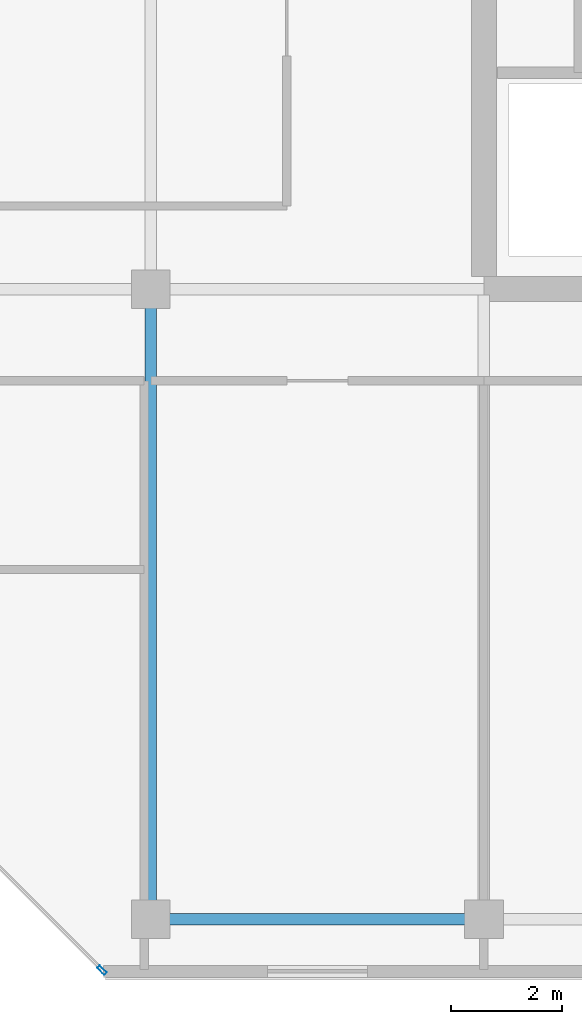
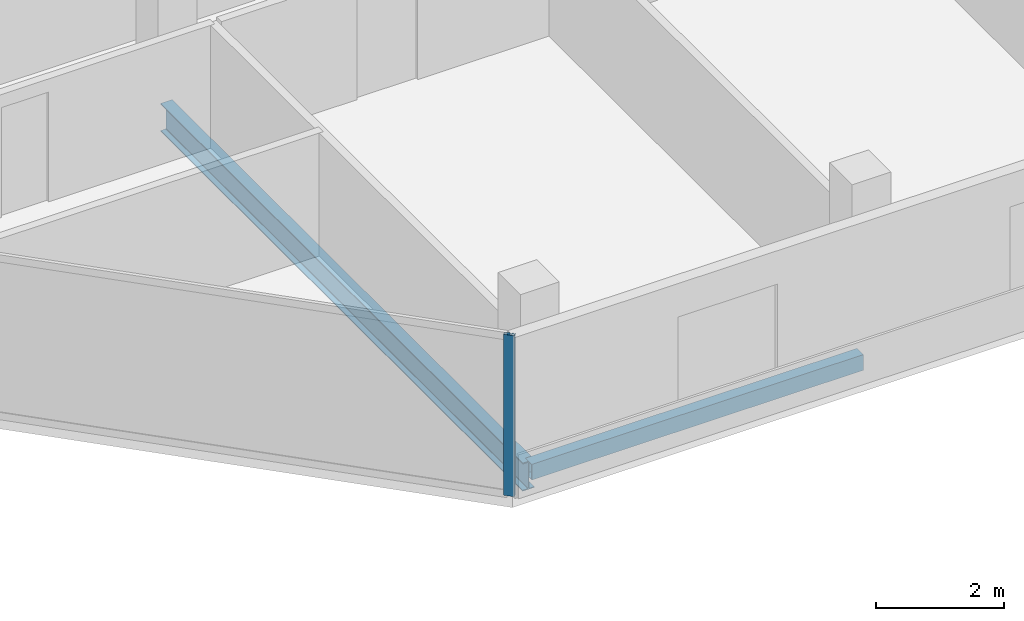
# One storey, part 10 of 29: 2 beams, 1 member, 1 element without a shape of its own.
"""IFC4 building model written with IfcOpenShell, lengths in metres."""

from ifc_helpers import new_model, si_unit, direction, frame, origin, origin_2d, place, context, subcontext, project, spatial, hollow_rectangle, i_section, extrude, material, layer, layer_set, material_profile, profile_set, type_object, element, aggregate, save


model = new_model("IFC4")

# Units and contexts
model_context = context("Model", 3, precision=1e-05, world=origin(), true_north=direction((0.0, 1.0)))
body_context = subcontext(model_context, "Body", "Model", "MODEL_VIEW")
ifc_project = project(units=[si_unit("LENGTHUNIT", "METRE"), si_unit("AREAUNIT", "SQUARE_METRE"), si_unit("VOLUMEUNIT", "CUBIC_METRE"), si_unit("PLANEANGLEUNIT", "RADIAN"), si_unit("MASSUNIT", "GRAM", prefix="KILO")], contexts=[model_context])

# Site, building, storey
site_placement = place(None, origin())
site = spatial("IfcSite", under=ifc_project, at=site_placement, CompositionType="ELEMENT")
building_placement = place(site_placement, origin())
building = spatial("IfcBuilding", under=site, at=building_placement, Name="Tanjung Sevakor Pilgrim Tower", CompositionType="ELEMENT")
storey_placement = place(building_placement, frame((0.0, 0.0, 235.949951171875)))
storey = spatial("IfcBuildingStorey", under=building, at=storey_placement, Name="L66", CompositionType="ELEMENT", Elevation=235.949951171875)

# Beams
ifc_material_1 = material(Name="Steel S355J2", Category="steel")
ifc_material_profile_1 = material_profile(ifc_material_1, i_section(OverallWidth=0.210693359375, OverallDepth=0.53955078125, WebThickness=0.01171875, FlangeThickness=0.018798828125, FilletRadius=0.0126953125, at=origin_2d()))
ifc_profile_set_1 = profile_set([ifc_material_profile_1], Name="Steel S355J2")
beam_type_1 = type_object("IfcBeamType", Name="BM-B-G6-UB_533x210x109", PredefinedType="BEAM", material=ifc_profile_set_1)
beam_1_placement = place(storey_placement, frame((72.0, 13.25, -0.48974609375), z_axis=(0.0, 1.0, 0.0), x_axis=(-1.0, 0.0, 0.0)))
element("IfcBeam", 1, at=beam_1_placement, inside=storey, type_object=beam_type_1, Name="L66 EAST Girder 002", PredefinedType="BEAM", context=body_context, shape_type="SweptSolid", body=[
    extrude(i_section(OverallWidth=0.210693359375, OverallDepth=0.53955078125, WebThickness=0.01171875, FlangeThickness=0.018798828125, FilletRadius=0.0126953125, at=origin_2d()), origin(), (0.0, 0.0, 1.0), 11.35009765625),
])
ifc_material_2 = material(Name="Steel S355J2", Category="steel")
ifc_material_profile_2 = material_profile(ifc_material_2, hollow_rectangle(XDim=0.199951171875, YDim=0.300048828125, WallThickness=0.012451171875, at=origin_2d()))
ifc_profile_set_2 = profile_set([ifc_material_profile_2], Name="Steel S355J2")
beam_type_2 = type_object("IfcBeamType", Name="BM-B-SP3-RHS_300x200x12.5", PredefinedType="SPANDREL", material=ifc_profile_set_2)
beam_2_placement = place(storey_placement, frame((72.0, 13.25, -0.369873046875), z_axis=(1.0, 0.0, 0.0), x_axis=(0.0, 1.0, 0.0)))
element("IfcBeam", 2, at=beam_2_placement, inside=storey, type_object=beam_type_2, Name="L66 Spandrel EAST S-01", PredefinedType="SPANDREL", context=body_context, shape_type="SweptSolid", body=[
    extrude(hollow_rectangle(XDim=0.199951171875, YDim=0.300048828125, WallThickness=0.012451171875, at=origin_2d()), origin(), (0.0, 0.0, 1.0), 6.0),
])

# Curtain wall, member
ifc_material_3 = material(Name="Aluminium 6063-T6 and Low-E Glass", Category="aluminium")
ifc_layer = layer(ifc_material_3, 0.179931640625)
ifc_layer_set = layer_set([ifc_layer], Name="CW-SYS-CHAM")
curtain_wall_type = type_object("IfcCurtainWallType", Name="CW-SYS-CHAM", PredefinedType="NOTDEFINED", material=ifc_layer_set)
curtain_wall_placement = place(storey_placement, origin())
curtain_wall = element("IfcCurtainWall", 3, at=curtain_wall_placement, inside=storey, type_object=curtain_wall_type, Name="L66 Curtain Wall CW-CHM-L66-EAST-7", PredefinedType="NOTDEFINED")
ifc_material_4 = material(Name="Aluminium 6063-T6", Category="aluminium")
ifc_material_profile_3 = material_profile(ifc_material_4, hollow_rectangle(XDim=0.06494140625, YDim=0.179931640625, WallThickness=0.00390625, at=origin_2d()))
ifc_profile_set_3 = profile_set([ifc_material_profile_3], Name="Aluminium 6063-T6")
member_type = type_object("IfcMemberType", Name="TYPE-CWM-1", PredefinedType="MULLION", material=ifc_profile_set_3)
member_placement = place(storey_placement, frame((71.12255859375, 12.3330078125, 0.0), z_axis=(0.0, 0.0, 1.0), x_axis=(0.707106781187, 0.707106781187, 0.0)))
member = element("IfcMember", 4, at=member_placement, type_object=member_type, Name="CW-CHM mullion 2", PredefinedType="MULLION", context=body_context, shape_type="SweptSolid", body=[
    extrude(hollow_rectangle(XDim=0.06494140625, YDim=0.179931640625, WallThickness=0.00390625, at=origin_2d()), origin(), (0.0, 0.0, 1.0), 3.080078125),
])
aggregate(curtain_wall, [member])

save(model, "model.ifc")
